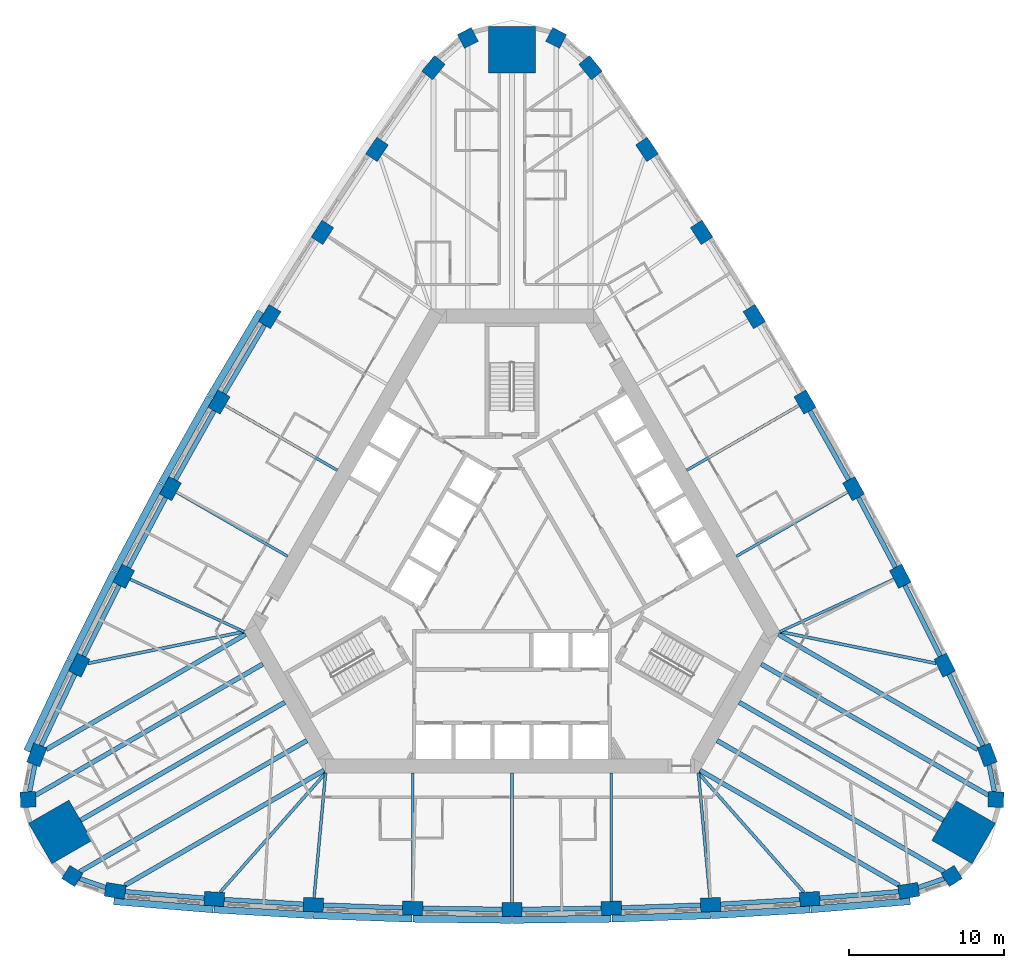
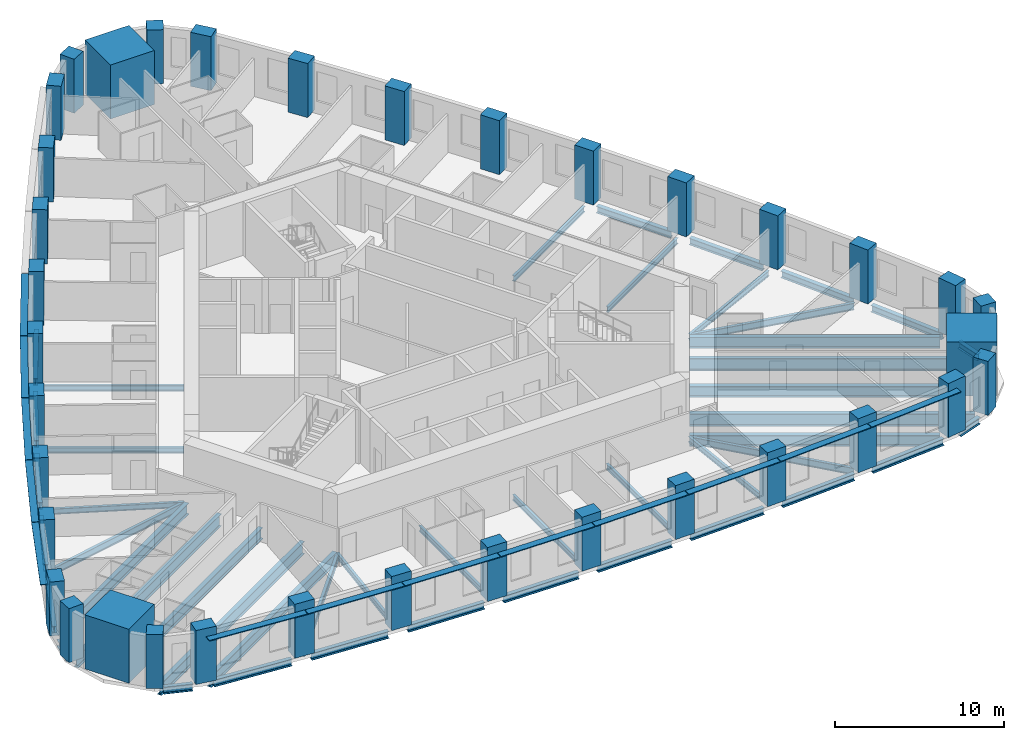
# One storey, part 1 of 13: 46 beams, 36 columns, 13 members.
"""IFC4 building model written with IfcOpenShell, lengths in metres."""

from ifc_helpers import new_model, si_unit, direction, frame, origin, origin_2d, place, context, subcontext, project, spatial, rectangle, i_section, extrude, material, material_profile, profile_set, type_object, element, save


model = new_model("IFC4")

# Units and contexts
model_context = context("Model", 3, precision=1e-05, world=origin(), true_north=direction((0.0, 1.0)))
body_context = subcontext(model_context, "Body", "Model", "MODEL_VIEW")
ifc_project = project(units=[si_unit("LENGTHUNIT", "METRE"), si_unit("AREAUNIT", "SQUARE_METRE"), si_unit("VOLUMEUNIT", "CUBIC_METRE"), si_unit("PLANEANGLEUNIT", "RADIAN"), si_unit("MASSUNIT", "GRAM", prefix="KILO")], contexts=[model_context])

# Site, building, storey
site_placement = place(None, origin())
site = spatial("IfcSite", under=ifc_project, at=site_placement, CompositionType="ELEMENT")
building_placement = place(site_placement, origin())
building = spatial("IfcBuilding", under=site, at=building_placement, Name="Mestral Congress Tower", CompositionType="ELEMENT")
storey_placement = place(building_placement, frame((0.0, 0.0, 114.89990234375)))
storey = spatial("IfcBuildingStorey", under=building, at=storey_placement, Name="L27", CompositionType="ELEMENT", Elevation=114.89990234375)

# Columns
ifc_material_1 = material(Name="Concrete C70/85", Category="concrete")
ifc_material_profile_1 = material_profile(ifc_material_1, rectangle(XDim=1.0, YDim=1.0, at=origin_2d()), Name="RC 1000x1000")
ifc_profile_set_1 = profile_set([ifc_material_profile_1], Name="Concrete C70/85")
column_type_1 = type_object("IfcColumnType", Name="Column RC 1000x1000 C70/85", PredefinedType="COLUMN", material=ifc_profile_set_1)
for number, where, z_axis, x_axis, name in (
    (1, (28.331298828125, -19.642822265625, 0.0), (0.0, 0.0, 1.0), (0.841700252504, 0.53994507585, 0.0), "COL-L27-C2-SE1"),
    (2, (31.1767578125, -14.714111328125, 0.0), (0.0, 0.0, 1.0), (0.046756026083, 0.998906338965, 0.0), "COL-L27-C2-SE3"),
    (3, (2.845703125, 34.35693359375, 0.0), (0.0, 0.0, 1.0), (-0.888456278587, 0.458961263115, 0.0), "COL-L27-C2-N1"),
    (4, (-2.845703125, 34.35693359375, 0.0), (0.0, 0.0, 1.0), (-0.888456278587, -0.458961263115, 0.0), "COL-L27-C2-N3"),
    (5, (-31.1767578125, -14.714111328125, 0.0), (0.0, 0.0, 1.0), (0.046756026083, -0.998906338965, 0.0), "COL-L27-C2-SW1"),
    (6, (-28.331298828125, -19.642822265625, 0.0), (0.0, 0.0, 1.0), (0.841700252504, -0.53994507585, 0.0), "COL-L27-C2-SW3"),
):
    element("IfcColumn", number, at=place(storey_placement, frame(where, z_axis=z_axis, x_axis=x_axis)), inside=storey, type_object=column_type_1, Name=name, PredefinedType="COLUMN", context=body_context, shape_type="SweptSolid", body=[
        extrude(rectangle(XDim=1.0, YDim=1.0, at=origin_2d()), origin(), (0.0, 0.0, 1.0), 3.900146484375),
    ])
ifc_material_profile_2 = material_profile(ifc_material_1, rectangle(XDim=1.300048828125, YDim=0.89990234375, at=origin_2d()), Name="RC 1300x900")
ifc_profile_set_2 = profile_set([ifc_material_profile_2], Name="Concrete C70/85")
column_type_2 = type_object("IfcColumnType", Name="Column RC 1300x900 C70/85", PredefinedType="COLUMN", material=ifc_profile_set_2)
for number, where, z_axis, x_axis, name in (
    (7, (-25.562744140625, -20.59716796875, 0.0), (0.0, 0.0, 1.0), (0.987202314361, -0.159472851987, 0.0), "COL-L27-C2-S00"),
    (8, (-19.184326171875, -21.120361328125, 0.0), (0.0, 0.0, 1.0), (0.997539884588, -0.07010120296, 0.0), "COL-L27-C2-S01"),
    (9, (-12.79541015625, -21.494384765625, 0.0), (0.0, 0.0, 1.0), (0.998906338965, -0.046756026083, 0.0), "COL-L27-C2-S02"),
    (10, (-6.3994140625, -21.71875, 0.0), (0.0, 0.0, 1.0), (0.99972656776, -0.023383535144, 0.0), "COL-L27-C2-S03"),
    (11, (0.0, -21.793701171875, 0.0), (0.0, 0.0, 1.0), (1.0, 0.0, 0.0), "COL-L27-C2-S04"),
    (12, (6.3994140625, -21.71875, 0.0), (0.0, 0.0, 1.0), (0.99972656776, 0.023383535144, 0.0), "COL-L27-C2-S05"),
    (13, (12.79541015625, -21.494384765625, 0.0), (0.0, 0.0, 1.0), (0.998906338965, 0.046756026083, 0.0), "COL-L27-C2-S06"),
    (14, (19.184326171875, -21.120361328125, 0.0), (0.0, 0.0, 1.0), (0.997539884588, 0.07010120296, 0.0), "COL-L27-C2-S07"),
    (15, (25.562744140625, -20.59716796875, 0.0), (0.0, 0.0, 1.0), (0.987202314361, 0.159472851987, 0.0), "COL-L27-C2-S08"),
    (16, (30.618896484375, -11.83935546875, 0.0), (0.0, 0.0, 1.0), (-0.355493616145, 0.934678708905, 0.0), "COL-L27-C2-E00"),
    (17, (27.8828125, -6.0537109375, 0.0), (0.0, 0.0, 1.0), (-0.438060519695, 0.898945482821, 0.0), "COL-L27-C2-E01"),
    (18, (25.01220703125, -0.333984375, 0.0), (0.0, 0.0, 1.0), (-0.458961263115, 0.888456278587, 0.0), "COL-L27-C2-E02"),
    (19, (22.0087890625, 5.3173828125, 0.0), (0.0, 0.0, 1.0), (-0.479612548415, 0.87748037209, 0.0), "COL-L27-C2-E03"),
    (20, (18.873779296875, 10.896728515625, 0.0), (0.0, 0.0, 1.0), (-0.5, 0.866025403784, 0.0), "COL-L27-C2-E04"),
    (21, (15.609375, 16.401611328125, 0.0), (0.0, 0.0, 1.0), (-0.520114019344, 0.854096836946, 0.0), "COL-L27-C2-E05"),
    (22, (12.217041015625, 21.828369140625, 0.0), (0.0, 0.0, 1.0), (-0.53994507585, 0.841700252504, 0.0), "COL-L27-C2-E06"),
    (23, (8.69873046875, 27.17431640625, 0.0), (0.0, 0.0, 1.0), (-0.559479364893, 0.828844279861, 0.0), "COL-L27-C2-E07"),
    (24, (5.056396484375, 32.4365234375, 0.0), (0.0, 0.0, 1.0), (-0.631708698215, 0.775205856918, 0.0), "COL-L27-C2-E08"),
    (25, (-5.056396484375, 32.4365234375, 0.0), (0.0, 0.0, 1.0), (-0.631708698215, -0.775205856918, 0.0), "COL-L27-C2-W00"),
    (26, (-8.69873046875, 27.17431640625, 0.0), (0.0, 0.0, 1.0), (-0.559479364893, -0.828844279861, 0.0), "COL-L27-C2-W01"),
    (27, (-12.217041015625, 21.828369140625, 0.0), (0.0, 0.0, 1.0), (-0.53994507585, -0.841700252504, 0.0), "COL-L27-C2-W02"),
    (28, (-15.609375, 16.401611328125, 0.0), (0.0, 0.0, 1.0), (-0.520114019344, -0.854096836946, 0.0), "COL-L27-C2-W03"),
    (29, (-18.873779296875, 10.896728515625, 0.0), (0.0, 0.0, 1.0), (-0.5, -0.866025403784, 0.0), "COL-L27-C2-W04"),
    (30, (-22.0087890625, 5.3173828125, 0.0), (0.0, 0.0, 1.0), (-0.479612548415, -0.87748037209, 0.0), "COL-L27-C2-W05"),
    (31, (-25.01220703125, -0.333984375, 0.0), (0.0, 0.0, 1.0), (-0.458961263115, -0.888456278587, 0.0), "COL-L27-C2-W06"),
    (32, (-27.8828125, -6.0537109375, 0.0), (0.0, 0.0, 1.0), (-0.438060519695, -0.898945482821, 0.0), "COL-L27-C2-W07"),
    (33, (-30.618896484375, -11.83935546875, 0.0), (0.0, 0.0, 1.0), (-0.355493616145, -0.934678708905, 0.0), "COL-L27-C2-W08"),
):
    element("IfcColumn", number, at=place(storey_placement, frame(where, z_axis=z_axis, x_axis=x_axis)), inside=storey, type_object=column_type_2, Name=name, PredefinedType="COLUMN", context=body_context, shape_type="SweptSolid", body=[
        extrude(rectangle(XDim=1.300048828125, YDim=0.89990234375, at=origin_2d()), origin(), (0.0, 0.0, 1.0), 3.900146484375),
    ])
ifc_material_2 = material(Name="Concrete C80/95", Category="concrete")
ifc_material_profile_3 = material_profile(ifc_material_2, rectangle(XDim=3.0, YDim=3.0, at=origin_2d()), Name="RC 3000x3000")
ifc_profile_set_3 = profile_set([ifc_material_profile_3], Name="Concrete C80/95")
column_type_3 = type_object("IfcColumnType", Name="Mega column RC 3000x3000 C80/95", PredefinedType="COLUMN", material=ifc_profile_set_3)
for number, where, z_axis, x_axis, name in (
    (34, (29.09716796875, -16.79931640625, 0.0), (0.0, 0.0, 1.0), (0.866025403784, -0.5, 0.0), "COL-L27-PY2-SE"),
    (35, (0.0, 33.598388671875, 0.0), (0.0, 0.0, 1.0), (0.0, 1.0, 0.0), "COL-L27-PY2-N"),
    (36, (-29.09716796875, -16.79931640625, 0.0), (0.0, 0.0, 1.0), (-0.866025403784, -0.5, 0.0), "COL-L27-PY2-SW"),
):
    element("IfcColumn", number, at=place(storey_placement, frame(where, z_axis=z_axis, x_axis=x_axis)), inside=storey, type_object=column_type_3, Name=name, PredefinedType="COLUMN", context=body_context, shape_type="SweptSolid", body=[
        extrude(rectangle(XDim=3.0, YDim=3.0, at=origin_2d()), origin(), (0.0, 0.0, 1.0), 3.900146484375),
    ])

# Members
ifc_material_3 = material(Name="Glazed ceramic", Category="masonry")
ifc_material_profile_4 = material_profile(ifc_material_3, rectangle(XDim=0.449951171875, YDim=0.06005859375, at=origin_2d()), Name="Ceramic blade 450 x 60")
ifc_profile_set_4 = profile_set([ifc_material_profile_4], Name="Glazed ceramic")
member_type = type_object("IfcMemberType", Name="Facade sunshade blade 450 x 60", PredefinedType="USERDEFINED", material=ifc_profile_set_4)
member_1_placement = place(storey_placement, frame((-25.654296875, -21.266845703125, 3.280029296875), z_axis=(0.996650616323, -0.081777435656, 0.0), x_axis=(0.081777435656, 0.996650616323, 0.0)))
element("IfcMember", 37, at=member_1_placement, inside=storey, type_object=member_type, Name="Sunshade F0-00", ObjectType="SUNSHADE", PredefinedType="USERDEFINED", context=body_context, shape_type="SweptSolid", body=[
    extrude(rectangle(XDim=0.449951171875, YDim=0.06005859375, at=origin_2d()), origin(), (0.0, 0.0, 1.0), 6.421630859375),
])
for number, where, z_axis, x_axis, name in (
    (38, (-19.208984375, -21.795166015625, 3.280029296875), (0.998292825409, -0.05840748871, 0.0), (0.05840748871, 0.998292825409, 0.0), "Sunshade F0-01"),
    (39, (-12.80419921875, -22.16943359375, 3.280029296875), (0.999384970229, -0.035066811664, 0.0), (0.035066811664, 0.999384970229, 0.0), "Sunshade F0-02"),
    (40, (-6.392578125, -22.393798828125, 3.280029296875), (0.999931231966, -0.011727375608, 0.0), (0.011727375608, 0.999931231966, 0.0), "Sunshade F0-03"),
    (41, (0.022705078125, -22.468505859375, 3.280029296875), (0.999931231966, 0.011727375608, 0.0), (-0.011727375608, 0.999931231966, 0.0), "Sunshade F0-04"),
    (42, (6.437744140625, -22.392822265625, 3.280029296875), (0.999384970229, 0.035066811664, 0.0), (-0.035066811664, 0.999384970229, 0.0), "Sunshade F0-05"),
    (43, (12.849609375, -22.167236328125, 3.280029296875), (0.998292825409, 0.05840748871, 0.0), (-0.05840748871, 0.998292825409, 0.0), "Sunshade F0-06"),
):
    element("IfcMember", number, at=place(storey_placement, frame(where, z_axis=z_axis, x_axis=x_axis)), inside=storey, type_object=member_type, Name=name, ObjectType="SUNSHADE", PredefinedType="USERDEFINED", context=body_context, shape_type="SweptSolid", body=[
        extrude(rectangle(XDim=0.449951171875, YDim=0.06005859375, at=origin_2d()), origin(), (0.0, 0.0, 1.0), 6.370361328125),
    ])
member_2_placement = place(storey_placement, frame((19.254150390625, -21.7919921875, 3.280029296875), z_axis=(0.996650616323, 0.081777435656, 0.0), x_axis=(-0.081777435656, 0.996650616323, 0.0)))
element("IfcMember", 44, at=member_2_placement, inside=storey, type_object=member_type, Name="Sunshade F0-07", ObjectType="SUNSHADE", PredefinedType="USERDEFINED", context=body_context, shape_type="SweptSolid", body=[
    extrude(rectangle(XDim=0.449951171875, YDim=0.06005859375, at=origin_2d()), origin(), (0.0, 0.0, 1.0), 6.421630859375),
])
for number, where, z_axis, x_axis, name in (
    (45, (-16.197509765625, 16.733154296875, 3.280029296875), (-0.510098606231, -0.86011592935, 0.0), (0.86011592935, -0.510098606231, 0.0), "Sunshade F2-03"),
    (46, (-19.469482421875, 11.214599609375, 3.280029296875), (-0.489860886888, -0.871800614531, 0.0), (0.871800614531, -0.489860886888, 0.0), "Sunshade F2-04"),
    (47, (-22.61181640625, 5.62109375, 3.280029296875), (-0.469318672425, -0.883028869128, 0.0), (0.883028869128, -0.469318672425, 0.0), "Sunshade F2-05"),
):
    element("IfcMember", number, at=place(storey_placement, frame(where, z_axis=z_axis, x_axis=x_axis)), inside=storey, type_object=member_type, Name=name, ObjectType="SUNSHADE", PredefinedType="USERDEFINED", context=body_context, shape_type="SweptSolid", body=[
        extrude(rectangle(XDim=0.449951171875, YDim=0.06005859375, at=origin_2d()), origin(), (0.0, 0.0, 1.0), 6.370361328125),
    ])
member_3_placement = place(storey_placement, frame((-25.622314453125, -0.04443359375, 3.280029296875), z_axis=(-0.448531530965, -0.893767008638, 0.0), x_axis=(0.893767008638, -0.448531530965, 0.0)))
element("IfcMember", 48, at=member_3_placement, inside=storey, type_object=member_type, Name="Sunshade F2-06", ObjectType="SUNSHADE", PredefinedType="USERDEFINED", context=body_context, shape_type="SweptSolid", body=[
    extrude(rectangle(XDim=0.449951171875, YDim=0.06005859375, at=origin_2d()), origin(), (0.0, 0.0, 1.0), 6.3701171875),
])
member_4_placement = place(storey_placement, frame((-28.49951171875, -5.778564453125, 3.280029296875), z_axis=(-0.427519164001, -0.904006285604, 0.0), x_axis=(0.904006285604, -0.427519164001, 0.0)))
element("IfcMember", 49, at=member_4_placement, inside=storey, type_object=member_type, Name="Sunshade F2-07", ObjectType="SUNSHADE", PredefinedType="USERDEFINED", context=body_context, shape_type="SweptSolid", body=[
    extrude(rectangle(XDim=0.449951171875, YDim=0.06005859375, at=origin_2d()), origin(), (0.0, 0.0, 1.0), 6.421630859375),
])

# Beams
ifc_material_4 = material(Name="Steel S355", Category="steel")
ifc_material_profile_5 = material_profile(ifc_material_4, i_section(OverallWidth=0.300048828125, OverallDepth=0.800048828125, WebThickness=0.017578125, FlangeThickness=0.032958984375, FilletRadius=0.030029296875, at=origin_2d()), Name="HEB 800")
ifc_profile_set_5 = profile_set([ifc_material_profile_5], Name="Steel S355")
beam_type_1 = type_object("IfcBeamType", Name="Floor beam HEB 800 S355", PredefinedType="BEAM", material=ifc_profile_set_5)
for number, where, z_axis, x_axis, name in (
    (50, (-24.94580078125, -20.240966796875, -0.64990234375), (0.866025146382, 0.500000445834, 0.0), (-0.500000445834, 0.866025146382, 0.0), "BM-L27-RB2-S00"),
    (51, (24.94580078125, -20.240966796875, -0.64990234375), (-0.866025146382, 0.500000445834, 0.0), (-0.500000445834, -0.866025146382, 0.0), "BM-L27-RB2-S08"),
):
    element("IfcBeam", number, at=place(storey_placement, frame(where, z_axis=z_axis, x_axis=x_axis)), inside=storey, type_object=beam_type_1, Name=name, PredefinedType="BEAM", context=body_context, shape_type="SweptSolid", body=[
        extrude(i_section(OverallWidth=0.300048828125, OverallDepth=0.800048828125, WebThickness=0.017578125, FlangeThickness=0.032958984375, FilletRadius=0.030029296875, at=origin_2d()), origin(), (0.0, 0.0, 1.0), 14.82421875),
    ])
beam_1_placement = place(storey_placement, frame((27.798095703125, -16.04931640625, -0.64990234375), z_axis=(-0.866023213189, 0.500003794204, 0.0), x_axis=(-0.500003794204, -0.866023213189, 0.0)))
element("IfcBeam", 52, at=beam_1_placement, inside=storey, type_object=beam_type_1, Name="BM-L27-RB2-SE", PredefinedType="BEAM", context=body_context, shape_type="SweptSolid", body=[
    extrude(i_section(OverallWidth=0.300048828125, OverallDepth=0.800048828125, WebThickness=0.017578125, FlangeThickness=0.032958984375, FilletRadius=0.030029296875, at=origin_2d()), origin(), (0.0, 0.0, 1.0), 15.19873046875),
])
for number, where, z_axis, x_axis, name in (
    (53, (30.002197265625, -11.483154296875, -0.64990234375), (-0.866025146382, 0.500000445834, 0.0), (-0.500000445834, -0.866025146382, 0.0), "BM-L27-RB2-E00"),
    (54, (-30.002197265625, -11.483154296875, -0.64990234375), (0.866025146382, 0.500000445834, 0.0), (-0.500000445834, 0.866025146382, 0.0), "BM-L27-RB2-W08"),
):
    element("IfcBeam", number, at=place(storey_placement, frame(where, z_axis=z_axis, x_axis=x_axis)), inside=storey, type_object=beam_type_1, Name=name, PredefinedType="BEAM", context=body_context, shape_type="SweptSolid", body=[
        extrude(i_section(OverallWidth=0.300048828125, OverallDepth=0.800048828125, WebThickness=0.017578125, FlangeThickness=0.032958984375, FilletRadius=0.030029296875, at=origin_2d()), origin(), (0.0, 0.0, 1.0), 14.82421875),
    ])
beam_2_placement = place(storey_placement, frame((-27.798095703125, -16.04931640625, -0.64990234375), z_axis=(0.866023213189, 0.500003794204, 0.0), x_axis=(-0.500003794204, 0.866023213189, 0.0)))
element("IfcBeam", 55, at=beam_2_placement, inside=storey, type_object=beam_type_1, Name="BM-L27-RB2-SW", PredefinedType="BEAM", context=body_context, shape_type="SweptSolid", body=[
    extrude(i_section(OverallWidth=0.300048828125, OverallDepth=0.800048828125, WebThickness=0.017578125, FlangeThickness=0.032958984375, FilletRadius=0.030029296875, at=origin_2d()), origin(), (0.0, 0.0, 1.0), 15.19873046875),
])
ifc_material_profile_6 = material_profile(ifc_material_4, i_section(OverallWidth=0.300048828125, OverallDepth=0.89990234375, WebThickness=0.0185546875, FlangeThickness=0.034912109375, FilletRadius=0.030029296875, at=origin_2d()), Name="HEB 900")
ifc_profile_set_6 = profile_set([ifc_material_profile_6], Name="Steel S355")
beam_type_2 = type_object("IfcBeamType", Name="Floor beam HEB 900 S355", PredefinedType="BEAM", material=ifc_profile_set_6)
beam_3_placement = place(storey_placement, frame((27.84375, -19.361328125, -0.699951171875), z_axis=(-0.866024587677, 0.500001413537, 0.0), x_axis=(-0.500001413537, -0.866024587677, 0.0)))
element("IfcBeam", 56, at=beam_3_placement, inside=storey, type_object=beam_type_2, Name="BM-L27-RB2-SE1", PredefinedType="BEAM", context=body_context, shape_type="SweptSolid", body=[
    extrude(i_section(OverallWidth=0.300048828125, OverallDepth=0.89990234375, WebThickness=0.0185546875, FlangeThickness=0.034912109375, FilletRadius=0.030029296875, at=origin_2d()), origin(), (0.0, 0.0, 1.0), 16.89404296875),
])
for number, where, z_axis, x_axis, name in (
    (57, (30.689453125, -14.4326171875, -0.699951171875), (-0.866028200461, 0.499995155983, 0.0), (-0.499995155983, -0.866028200461, 0.0), "BM-L27-RB2-SE3"),
    (58, (-30.689453125, -14.4326171875, -0.699951171875), (0.866028200461, 0.499995155983, 0.0), (-0.499995155983, 0.866028200461, 0.0), "BM-L27-RB2-SW1"),
):
    element("IfcBeam", number, at=place(storey_placement, frame(where, z_axis=z_axis, x_axis=x_axis)), inside=storey, type_object=beam_type_2, Name=name, PredefinedType="BEAM", context=body_context, shape_type="SweptSolid", body=[
        extrude(i_section(OverallWidth=0.300048828125, OverallDepth=0.89990234375, WebThickness=0.0185546875, FlangeThickness=0.034912109375, FilletRadius=0.030029296875, at=origin_2d()), origin(), (0.0, 0.0, 1.0), 16.894287109375),
    ])
beam_4_placement = place(storey_placement, frame((-27.84375, -19.361328125, -0.699951171875), z_axis=(0.866024587677, 0.500001413537, 0.0), x_axis=(-0.500001413537, 0.866024587677, 0.0)))
element("IfcBeam", 59, at=beam_4_placement, inside=storey, type_object=beam_type_2, Name="BM-L27-RB2-SW3", PredefinedType="BEAM", context=body_context, shape_type="SweptSolid", body=[
    extrude(i_section(OverallWidth=0.300048828125, OverallDepth=0.89990234375, WebThickness=0.0185546875, FlangeThickness=0.034912109375, FilletRadius=0.030029296875, at=origin_2d()), origin(), (0.0, 0.0, 1.0), 16.89404296875),
])
ifc_material_profile_7 = material_profile(ifc_material_4, i_section(OverallWidth=0.179931640625, OverallDepth=0.39990234375, WebThickness=0.008544921875, FlangeThickness=0.013427734375, FilletRadius=0.02099609375, at=origin_2d()), Name="IPE 400")
ifc_profile_set_7 = profile_set([ifc_material_profile_7], Name="Steel S355")
beam_type_3 = type_object("IfcBeamType", Name="Floor beam IPE 400 S355", PredefinedType="BEAM", material=ifc_profile_set_7)
beam_5_placement = place(storey_placement, frame((-12.753662109375, -21.0458984375, -0.449951171875), z_axis=(0.092183786594, 0.995742009503, 0.0), x_axis=(-0.995742009503, 0.092183786594, 0.0)))
element("IfcBeam", 60, at=beam_5_placement, inside=storey, type_object=beam_type_3, Name="BM-L27-RB2-S02", PredefinedType="BEAM", context=body_context, shape_type="SweptSolid", body=[
    extrude(i_section(OverallWidth=0.179931640625, OverallDepth=0.39990234375, WebThickness=0.008544921875, FlangeThickness=0.013427734375, FilletRadius=0.02099609375, at=origin_2d()), origin(), (0.0, 0.0, 1.0), 8.080322265625),
])
beam_6_placement = place(storey_placement, frame((-6.3994140625, -21.268798828125, -0.449951171875), z_axis=(0.0, 1.0, 0.0), x_axis=(-1.0, 0.0, 0.0)))
element("IfcBeam", 61, at=beam_6_placement, inside=storey, type_object=beam_type_3, Name="BM-L27-RB2-S03", PredefinedType="BEAM", context=body_context, shape_type="SweptSolid", body=[
    extrude(i_section(OverallWidth=0.179931640625, OverallDepth=0.39990234375, WebThickness=0.008544921875, FlangeThickness=0.013427734375, FilletRadius=0.02099609375, at=origin_2d()), origin(), (0.0, 0.0, 1.0), 8.268798828125),
])
beam_7_placement = place(storey_placement, frame((0.0, -21.343505859375, -0.449951171875), z_axis=(0.0, 1.0, 0.0), x_axis=(-1.0, 0.0, 0.0)))
element("IfcBeam", 62, at=beam_7_placement, inside=storey, type_object=beam_type_3, Name="BM-L27-RB2-S04", PredefinedType="BEAM", context=body_context, shape_type="SweptSolid", body=[
    extrude(i_section(OverallWidth=0.179931640625, OverallDepth=0.39990234375, WebThickness=0.008544921875, FlangeThickness=0.013427734375, FilletRadius=0.02099609375, at=origin_2d()), origin(), (0.0, 0.0, 1.0), 8.343505859375),
])
beam_8_placement = place(storey_placement, frame((6.3994140625, -21.268798828125, -0.449951171875), z_axis=(0.0, 1.0, 0.0), x_axis=(-1.0, 0.0, 0.0)))
element("IfcBeam", 63, at=beam_8_placement, inside=storey, type_object=beam_type_3, Name="BM-L27-RB2-S05", PredefinedType="BEAM", context=body_context, shape_type="SweptSolid", body=[
    extrude(i_section(OverallWidth=0.179931640625, OverallDepth=0.39990234375, WebThickness=0.008544921875, FlangeThickness=0.013427734375, FilletRadius=0.02099609375, at=origin_2d()), origin(), (0.0, 0.0, 1.0), 8.268798828125),
])
beam_9_placement = place(storey_placement, frame((12.753662109375, -21.0458984375, -0.449951171875), z_axis=(-0.092183786594, 0.995742009503, 0.0), x_axis=(-0.995742009503, -0.092183786594, 0.0)))
element("IfcBeam", 64, at=beam_9_placement, inside=storey, type_object=beam_type_3, Name="BM-L27-RB2-S06", PredefinedType="BEAM", context=body_context, shape_type="SweptSolid", body=[
    extrude(i_section(OverallWidth=0.179931640625, OverallDepth=0.39990234375, WebThickness=0.008544921875, FlangeThickness=0.013427734375, FilletRadius=0.02099609375, at=origin_2d()), origin(), (0.0, 0.0, 1.0), 8.080322265625),
])
beam_10_placement = place(storey_placement, frame((24.60302734375, -0.522216796875, -0.449951171875), z_axis=(-0.908437217841, -0.418021316731, 0.0), x_axis=(0.418021316731, -0.908437217841, 0.0)))
element("IfcBeam", 65, at=beam_10_placement, inside=storey, type_object=beam_type_3, Name="BM-L27-RB2-E02", PredefinedType="BEAM", context=body_context, shape_type="SweptSolid", body=[
    extrude(i_section(OverallWidth=0.179931640625, OverallDepth=0.39990234375, WebThickness=0.008544921875, FlangeThickness=0.013427734375, FilletRadius=0.02099609375, at=origin_2d()), origin(), (0.0, 0.0, 1.0), 8.080078125),
])
beam_11_placement = place(storey_placement, frame((21.618896484375, 5.09228515625, -0.449951171875), z_axis=(-0.866028737439, -0.499994225897, 0.0), x_axis=(0.499994225897, -0.866028737439, 0.0)))
element("IfcBeam", 66, at=beam_11_placement, inside=storey, type_object=beam_type_3, Name="BM-L27-RB2-E03", PredefinedType="BEAM", context=body_context, shape_type="SweptSolid", body=[
    extrude(i_section(OverallWidth=0.179931640625, OverallDepth=0.39990234375, WebThickness=0.008544921875, FlangeThickness=0.013427734375, FilletRadius=0.02099609375, at=origin_2d()), origin(), (0.0, 0.0, 1.0), 8.2685546875),
])
for number, where, z_axis, x_axis, name in (
    (67, (18.484130859375, 10.671875, -0.449951171875), (-0.86602332482, -0.500003600855, 0.0), (0.500003600855, -0.86602332482, 0.0), "BM-L27-RB2-E04"),
    (68, (-18.484130859375, 10.671875, -0.449951171875), (0.86602332482, -0.500003600855, 0.0), (0.500003600855, 0.86602332482, 0.0), "BM-L27-RB2-W04"),
):
    element("IfcBeam", number, at=place(storey_placement, frame(where, z_axis=z_axis, x_axis=x_axis)), inside=storey, type_object=beam_type_3, Name=name, PredefinedType="BEAM", context=body_context, shape_type="SweptSolid", body=[
        extrude(i_section(OverallWidth=0.179931640625, OverallDepth=0.39990234375, WebThickness=0.008544921875, FlangeThickness=0.013427734375, FilletRadius=0.02099609375, at=origin_2d()), origin(), (0.0, 0.0, 1.0), 8.34375),
    ])
beam_12_placement = place(storey_placement, frame((-21.618896484375, 5.09228515625, -0.449951171875), z_axis=(0.866028737439, -0.499994225897, 0.0), x_axis=(0.499994225897, 0.866028737439, 0.0)))
element("IfcBeam", 69, at=beam_12_placement, inside=storey, type_object=beam_type_3, Name="BM-L27-RB2-W05", PredefinedType="BEAM", context=body_context, shape_type="SweptSolid", body=[
    extrude(i_section(OverallWidth=0.179931640625, OverallDepth=0.39990234375, WebThickness=0.008544921875, FlangeThickness=0.013427734375, FilletRadius=0.02099609375, at=origin_2d()), origin(), (0.0, 0.0, 1.0), 8.2685546875),
])
beam_13_placement = place(storey_placement, frame((-24.60302734375, -0.522216796875, -0.449951171875), z_axis=(0.908437217841, -0.418021316731, 0.0), x_axis=(0.418021316731, 0.908437217841, 0.0)))
element("IfcBeam", 70, at=beam_13_placement, inside=storey, type_object=beam_type_3, Name="BM-L27-RB2-W06", PredefinedType="BEAM", context=body_context, shape_type="SweptSolid", body=[
    extrude(i_section(OverallWidth=0.179931640625, OverallDepth=0.39990234375, WebThickness=0.008544921875, FlangeThickness=0.013427734375, FilletRadius=0.02099609375, at=origin_2d()), origin(), (0.0, 0.0, 1.0), 8.080078125),
])
ifc_material_profile_8 = material_profile(ifc_material_4, i_section(OverallWidth=0.199951171875, OverallDepth=0.5, WebThickness=0.01025390625, FlangeThickness=0.01611328125, FilletRadius=0.02099609375, at=origin_2d()), Name="IPE 500")
ifc_profile_set_8 = profile_set([ifc_material_profile_8], Name="Steel S355")
beam_type_4 = type_object("IfcBeamType", Name="Floor beam IPE 500 S355", PredefinedType="BEAM", material=ifc_profile_set_8)
for number, where, z_axis, x_axis, name in (
    (71, (-18.80908203125, -20.695556640625, -0.5), (0.662174203587, 0.749349934346, 0.0), (-0.749349934346, 0.662174203587, 0.0), "BM-L27-RB2-S01"),
    (72, (18.80908203125, -20.695556640625, -0.5), (-0.662174203587, 0.749349934346, 0.0), (-0.749349934346, -0.662174203587, 0.0), "BM-L27-RB2-S07"),
    (73, (27.327392578125, -5.941162109375, -0.5), (-0.980046767137, 0.198767035052, 0.0), (-0.198767035052, -0.980046767137, 0.0), "BM-L27-RB2-E01"),
    (74, (-27.327392578125, -5.941162109375, -0.5), (0.980046767137, 0.198767035052, 0.0), (-0.198767035052, 0.980046767137, 0.0), "BM-L27-RB2-W07"),
):
    element("IfcBeam", number, at=place(storey_placement, frame(where, z_axis=z_axis, x_axis=x_axis)), inside=storey, type_object=beam_type_4, Name=name, PredefinedType="BEAM", context=body_context, shape_type="SweptSolid", body=[
        extrude(i_section(OverallWidth=0.199951171875, OverallDepth=0.5, WebThickness=0.01025390625, FlangeThickness=0.01611328125, FilletRadius=0.02099609375, at=origin_2d()), origin(), (0.0, 0.0, 1.0), 10.26953125),
    ])
ifc_material_profile_9 = material_profile(ifc_material_4, i_section(OverallWidth=0.300048828125, OverallDepth=0.489990234375, WebThickness=0.011962890625, FlangeThickness=0.02294921875, FilletRadius=0.027099609375, at=origin_2d()), Name="HEA 500")
ifc_profile_set_9 = profile_set([ifc_material_profile_9], Name="Steel S355")
beam_type_5 = type_object("IfcBeamType", Name="Spandrel beam HEA 500 S355", PredefinedType="BEAM", material=ifc_profile_set_9)
beam_14_placement = place(storey_placement, frame((-24.912841796875, -20.650390625, -0.494873046875), z_axis=(0.996652597162, -0.081753290887, 0.0), x_axis=(0.081753290887, 0.996652597162, 0.0)))
element("IfcBeam", 75, at=beam_14_placement, inside=storey, type_object=beam_type_5, Name="SP-L27-SB2-S00", PredefinedType="BEAM", context=body_context, shape_type="SweptSolid", body=[
    extrude(i_section(OverallWidth=0.300048828125, OverallDepth=0.489990234375, WebThickness=0.011962890625, FlangeThickness=0.02294921875, FilletRadius=0.027099609375, at=origin_2d()), origin(), (0.0, 0.0, 1.0), 5.09765625),
])
for number, where, z_axis, x_axis, name in (
    (76, (-18.535400390625, -21.158447265625, -0.494873046875), (0.998292976718, -0.058404902489, 0.0), (0.058404902489, 0.998292976718, 0.0), "SP-L27-SB2-S01"),
    (77, (-12.145751953125, -21.51708984375, -0.494873046875), (0.999384139945, -0.035090466305, 0.0), (0.035090466305, 0.999384139945, 0.0), "SP-L27-SB2-S02"),
    (78, (-5.74951171875, -21.726318359375, -0.494873046875), (0.999931780034, -0.011680551241, 0.0), (0.011680551241, 0.999931780034, 0.0), "SP-L27-SB2-S03"),
    (79, (0.64990234375, -21.785888671875, -0.494873046875), (0.999931780034, 0.011680551241, 0.0), (-0.011680551241, 0.999931780034, 0.0), "SP-L27-SB2-S04"),
    (80, (7.049072265625, -21.696044921875, -0.494873046875), (0.999384139945, 0.035090466305, 0.0), (-0.035090466305, 0.999384139945, 0.0), "SP-L27-SB2-S05"),
    (81, (13.4443359375, -21.456298828125, -0.494873046875), (0.998292976718, 0.058404902489, 0.0), (-0.058404902489, 0.998292976718, 0.0), "SP-L27-SB2-S06"),
):
    element("IfcBeam", number, at=place(storey_placement, frame(where, z_axis=z_axis, x_axis=x_axis)), inside=storey, type_object=beam_type_5, Name=name, PredefinedType="BEAM", context=body_context, shape_type="SweptSolid", body=[
        extrude(i_section(OverallWidth=0.300048828125, OverallDepth=0.489990234375, WebThickness=0.011962890625, FlangeThickness=0.02294921875, FilletRadius=0.027099609375, at=origin_2d()), origin(), (0.0, 0.0, 1.0), 5.099853515625),
    ])
beam_15_placement = place(storey_placement, frame((19.832275390625, -21.067138671875, -0.494873046875), z_axis=(0.996652597162, 0.081753290887, 0.0), x_axis=(-0.081753290887, 0.996652597162, 0.0)))
element("IfcBeam", 82, at=beam_15_placement, inside=storey, type_object=beam_type_5, Name="SP-L27-SB2-S07", PredefinedType="BEAM", context=body_context, shape_type="SweptSolid", body=[
    extrude(i_section(OverallWidth=0.300048828125, OverallDepth=0.489990234375, WebThickness=0.011962890625, FlangeThickness=0.02294921875, FilletRadius=0.027099609375, at=origin_2d()), origin(), (0.0, 0.0, 1.0), 5.09765625),
])
for number, where, z_axis, x_axis, name in (
    (83, (26.186279296875, -20.382080078125, -0.494873046875), (0.945433605893, 0.325814819873, 0.0), (-0.325814819873, 0.945433605893, 0.0), "SP-L27-SB2-S08"),
    (84, (31.078857421875, -14.208984375, -0.494873046875), (-0.190545536928, 0.981678357894, 0.0), (-0.981678357894, -0.190545536928, 0.0), "SP-L27-SB2-SE3"),
):
    element("IfcBeam", number, at=place(storey_placement, frame(where, z_axis=z_axis, x_axis=x_axis)), inside=storey, type_object=beam_type_5, Name=name, PredefinedType="BEAM", context=body_context, shape_type="SweptSolid", body=[
        extrude(i_section(OverallWidth=0.300048828125, OverallDepth=0.489990234375, WebThickness=0.011962890625, FlangeThickness=0.02294921875, FilletRadius=0.027099609375, at=origin_2d()), origin(), (0.0, 0.0, 1.0), 1.754150390625),
    ])
beam_16_placement = place(storey_placement, frame((30.34033203125, -11.25, -0.494873046875), z_axis=(-0.427509849729, 0.904010690415, 0.0), x_axis=(-0.904010690415, -0.427509849729, 0.0)))
element("IfcBeam", 85, at=beam_16_placement, inside=storey, type_object=beam_type_5, Name="SP-L27-SB2-E00", PredefinedType="BEAM", context=body_context, shape_type="SweptSolid", body=[
    extrude(i_section(OverallWidth=0.300048828125, OverallDepth=0.489990234375, WebThickness=0.011962890625, FlangeThickness=0.02294921875, FilletRadius=0.027099609375, at=origin_2d()), origin(), (0.0, 0.0, 1.0), 5.097900390625),
])
for number, where, z_axis, x_axis, name in (
    (86, (27.59130859375, -5.472900390625, -0.494873046875), (-0.448515247182, 0.89377518037, 0.0), (-0.89377518037, -0.448515247182, 0.0), "SP-L27-SB2-E01"),
    (87, (24.707275390625, 0.239990234375, -0.494873046875), (-0.469288226496, 0.883045050081, 0.0), (-0.883045050081, -0.469288226496, 0.0), "SP-L27-SB2-E02"),
    (88, (21.6904296875, 5.884033203125, -0.494873046875), (-0.489836148985, 0.871814514187, 0.0), (-0.871814514187, -0.489836148985, 0.0), "SP-L27-SB2-E03"),
    (89, (-15.94091796875, 15.84228515625, -0.494873046875), (-0.510081870963, -0.860125854114, 0.0), (0.860125854114, -0.510081870963, 0.0), "SP-L27-SB2-W03"),
    (90, (-19.1923828125, 10.330078125, -0.494873046875), (-0.489836148985, -0.871814514187, 0.0), (0.871814514187, -0.489836148985, 0.0), "SP-L27-SB2-W04"),
    (91, (-22.31396484375, 4.743408203125, -0.494873046875), (-0.469288226496, -0.883045050081, 0.0), (0.883045050081, -0.469288226496, 0.0), "SP-L27-SB2-W05"),
    (92, (-25.303955078125, -0.914794921875, -0.494873046875), (-0.448515247182, -0.89377518037, 0.0), (0.89377518037, -0.448515247182, 0.0), "SP-L27-SB2-W06"),
):
    element("IfcBeam", number, at=place(storey_placement, frame(where, z_axis=z_axis, x_axis=x_axis)), inside=storey, type_object=beam_type_5, Name=name, PredefinedType="BEAM", context=body_context, shape_type="SweptSolid", body=[
        extrude(i_section(OverallWidth=0.300048828125, OverallDepth=0.489990234375, WebThickness=0.011962890625, FlangeThickness=0.02294921875, FilletRadius=0.027099609375, at=origin_2d()), origin(), (0.0, 0.0, 1.0), 5.099853515625),
    ])
beam_17_placement = place(storey_placement, frame((-28.160888671875, -6.641357421875, -0.494873046875), z_axis=(-0.427509849729, -0.904010690415, 0.0), x_axis=(0.904010690415, -0.427509849729, 0.0)))
element("IfcBeam", 93, at=beam_17_placement, inside=storey, type_object=beam_type_5, Name="SP-L27-SB2-W07", PredefinedType="BEAM", context=body_context, shape_type="SweptSolid", body=[
    extrude(i_section(OverallWidth=0.300048828125, OverallDepth=0.489990234375, WebThickness=0.011962890625, FlangeThickness=0.02294921875, FilletRadius=0.027099609375, at=origin_2d()), origin(), (0.0, 0.0, 1.0), 5.097900390625),
])
for number, where, z_axis, x_axis, name in (
    (94, (-30.74462890625, -12.487060546875, -0.494873046875), (-0.190545536928, -0.981678357894, 0.0), (0.981678357894, -0.190545536928, 0.0), "SP-L27-SB2-W08"),
    (95, (-27.8447265625, -19.810546875, -0.494873046875), (0.945433605893, -0.325814819873, 0.0), (0.325814819873, 0.945433605893, 0.0), "SP-L27-SB2-SW3"),
):
    element("IfcBeam", number, at=place(storey_placement, frame(where, z_axis=z_axis, x_axis=x_axis)), inside=storey, type_object=beam_type_5, Name=name, PredefinedType="BEAM", context=body_context, shape_type="SweptSolid", body=[
        extrude(i_section(OverallWidth=0.300048828125, OverallDepth=0.489990234375, WebThickness=0.011962890625, FlangeThickness=0.02294921875, FilletRadius=0.027099609375, at=origin_2d()), origin(), (0.0, 0.0, 1.0), 1.754150390625),
    ])

save(model, "model.ifc")
